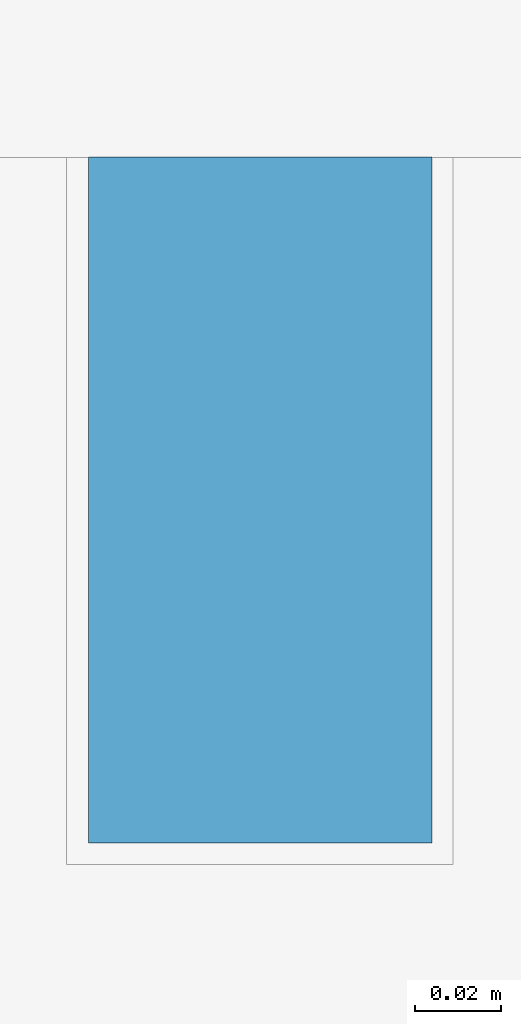
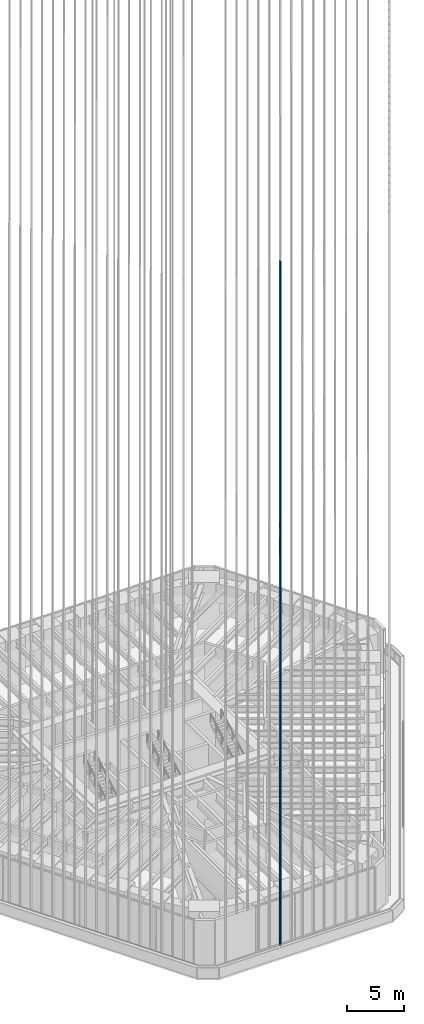
# One storey, part 33 of 228: 1 member, 1 element without a shape of its own.
"""IFC4 building model written with IfcOpenShell, lengths in metres."""

import ifcopenshell
import ifcopenshell.guid

model = None  # the IFC model being written
_history = None  # IfcOwnerHistory: only IFC2X3 demands one
_inside = {}  # id of a spatial element -> (the spatial element, [elements in it])
_under = {}  # id of a project, library or spatial element -> (it, [spatial elements below it])
_declared = {}  # id of a project -> (the project, [libraries it declares])
_typed = {}  # id of a type object -> (the type object, [elements of that type])
_made_of = {}  # id of a material, layer set ... -> (it, [elements and type objects made of it])


def new_model(schema):
    """Start an empty IFC model of exactly this schema.

    Asked for "IFC4X3", IfcOpenShell would pick the latest addendum, in which some entities
    have other attributes; the version numbers below select the first issue.
    IFC2X3 requires an IfcOwnerHistory on every rooted entity: one is made here for all.
    """
    global model, _history
    if schema == "IFC4X3":
        model = ifcopenshell.file(schema_version=(4, 3, 0, 0))
    else:
        model = ifcopenshell.file(schema=schema)
    _inside.clear()
    _under.clear()
    _declared.clear()
    _typed.clear()
    _made_of.clear()
    _history = None
    if model.schema == "IFC2X3":
        org = make("IfcOrganization", Name="unknown")
        user = make(
            "IfcPersonAndOrganization",
            ThePerson=make("IfcPerson", FamilyName="unknown"),
            TheOrganization=org,
        )
        app = make(
            "IfcApplication",
            ApplicationDeveloper=org,
            Version="unknown",
            ApplicationFullName="unknown",
            ApplicationIdentifier="unknown",
        )
        _history = make(
            "IfcOwnerHistory",
            OwningUser=user,
            OwningApplication=app,
            ChangeAction="ADDED",
            CreationDate=0,
        )
    return model


def make(cls, **values):
    """One entity of the class cls with the attributes given. An attribute that is None is left unset."""
    return model.create_entity(
        cls, **{name: value for name, value in values.items() if value is not None}
    )


def rooted(cls, **values):
    """An entity with a GlobalId (a new one), such as an element, a storey or a relation."""
    return make(cls, GlobalId=ifcopenshell.guid.new(), OwnerHistory=_history, **values)


def si_unit(unit_type, name, prefix=None):
    """IfcSIUnit, for example si_unit("LENGTHUNIT", "METRE", prefix="MILLI")."""
    return make("IfcSIUnit", UnitType=unit_type, Prefix=prefix, Name=name)


def assignment(units):
    """IfcUnitAssignment: the units of a project."""
    return None if units is None else make("IfcUnitAssignment", Units=units)


def point(xyz):
    """IfcCartesianPoint."""
    return None if xyz is None else make("IfcCartesianPoint", Coordinates=xyz)


def direction(xyz):
    """IfcDirection."""
    return None if xyz is None else make("IfcDirection", DirectionRatios=xyz)


def frame(location, z_axis=None, x_axis=None):
    """IfcAxis2Placement3D, a coordinate frame: its origin and axes. An axis left out is left unset."""
    return make(
        "IfcAxis2Placement3D",
        Location=point(location),
        Axis=direction(z_axis),
        RefDirection=direction(x_axis),
    )


def frame_2d(location, x_axis=None):
    """IfcAxis2Placement2D, a coordinate frame in the plane: its origin and x axis."""
    return make(
        "IfcAxis2Placement2D", Location=point(location), RefDirection=direction(x_axis)
    )


def origin():
    """The frame at (0, 0, 0) with its axes left unset."""
    return frame((0.0, 0.0, 0.0))


def origin_2d():
    """The frame at (0, 0) in the plane with its x axis left unset."""
    return frame_2d((0.0, 0.0))


def place(relative_to, where):
    """IfcLocalPlacement: puts the frame where relative to a parent placement (None: the world)."""
    return make(
        "IfcLocalPlacement", PlacementRelTo=relative_to, RelativePlacement=where
    )


def context(
    kind, dimensions, precision=None, world=None, true_north=None, identifier=None
):
    """IfcGeometricRepresentationContext, for example the 3D "Model" context."""
    return make(
        "IfcGeometricRepresentationContext",
        ContextIdentifier=identifier,
        ContextType=kind,
        CoordinateSpaceDimension=dimensions,
        Precision=precision,
        WorldCoordinateSystem=world,
        TrueNorth=true_north,
    )


def subcontext(parent, identifier, kind, view, scale=None):
    """IfcGeometricRepresentationSubContext, for example "Body" below "Model"."""
    return make(
        "IfcGeometricRepresentationSubContext",
        ContextIdentifier=identifier,
        ContextType=kind,
        ParentContext=parent,
        TargetScale=scale,
        TargetView=view,
    )


def project(units=None, contexts=None):
    """IfcProject with its units and contexts."""
    return rooted(
        "IfcProject",
        Name="project",
        RepresentationContexts=contexts,
        UnitsInContext=assignment(units),
    )


def spatial(cls, under=None, at=None, **own):
    """A site, building, storey or space (cls), placed at a placement, below another one or the project."""
    s = rooted(cls, ObjectPlacement=at, **own)
    if under is not None:
        _under.setdefault(under.id(), (under, []))[1].append(s)
    return s


def profile(cls, at=None, kind="AREA", **sizes):
    """A parametric profile (cls). Its sizes go by their IFC names, for example OverallWidth=200.0."""
    return make(cls, ProfileType=kind, Position=at, **sizes)


def rectangle(**sizes):
    """IfcRectangleProfileDef."""
    return profile("IfcRectangleProfileDef", **sizes)


def extrude(swept, where, along, depth):
    """IfcExtrudedAreaSolid: the profile swept, set in the frame where, extruded along a direction by depth."""
    return make(
        "IfcExtrudedAreaSolid",
        SweptArea=swept,
        Position=where,
        ExtrudedDirection=direction(along),
        Depth=depth,
    )


def shape(context_of_items, identifier, shape_type, items):
    """IfcShapeRepresentation: the items that make up one representation, for example the "Body"."""
    return make(
        "IfcShapeRepresentation",
        ContextOfItems=context_of_items,
        RepresentationIdentifier=identifier,
        RepresentationType=shape_type,
        Items=items,
    )


def material(Name=None, Category=None):
    """IfcMaterial."""
    return make("IfcMaterial", Name=Name, Category=Category)


def material_profile(
    of_material, cross_section, Name=None, Category=None, Priority=None
):
    """IfcMaterialProfile: a cross section and its material."""
    return make(
        "IfcMaterialProfile",
        Name=Name,
        Material=of_material,
        Profile=cross_section,
        Priority=Priority,
        Category=Category,
    )


def profile_set(profiles, Name=None, composite=None):
    """IfcMaterialProfileSet."""
    return make(
        "IfcMaterialProfileSet",
        Name=Name,
        MaterialProfiles=profiles,
        CompositeProfile=composite,
    )


def made_of(thing, what):
    """Note that an element or type object is made of a material, layer set ...; save() writes the relation."""
    if what is not None:
        _made_of.setdefault(what.id(), (what, []))[1].append(thing)
    return thing


def type_object(cls, material=None, **own):
    """A type object (cls), such as IfcWallType, which elements share."""
    return made_of(rooted(cls, **own), material)


def element(
    cls,
    number,
    at=None,
    inside=None,
    cuts=None,
    type_object=None,
    material=None,
    context=None,
    identifier="Body",
    shape_type=None,
    held_by="IfcProductDefinitionShape",
    body=None,
    shapes=None,
    **own,
):
    """One element of the class cls, such as IfcWall. Its Tag is "e" and its number.

    at: its placement. inside: the storey or other place that contains it. cuts: it is an
    opening in that element (IfcRelVoidsElement). A single representation is given by context,
    identifier, shape_type and body (its items); several are given by shapes. held_by: the class
    of the entity that holds the representations. save() writes the other relations.
    """
    e = rooted(cls, Tag="e%d" % number, ObjectPlacement=at, **own)
    if body is not None:
        shapes = [shape(context, identifier, shape_type, body)]
    if shapes is not None:
        e.Representation = make(held_by, Representations=shapes)
    if inside is not None:
        _inside.setdefault(inside.id(), (inside, []))[1].append(e)
    if cuts is not None:
        rooted(
            "IfcRelVoidsElement", RelatingBuildingElement=cuts, RelatedOpeningElement=e
        )
    if type_object is not None:
        _typed.setdefault(type_object.id(), (type_object, []))[1].append(e)
    return made_of(e, material)


def aggregate(whole, parts):
    """IfcRelAggregates: a whole, such as a stair, and the parts it consists of."""
    return rooted("IfcRelAggregates", RelatingObject=whole, RelatedObjects=parts)


def save(model, path):
    """Write the relations noted so far, then the file.

    IfcRelAggregates (storeys below a building ...), IfcRelContainedInSpatialStructure (elements
    in a storey), IfcRelDefinesByType, IfcRelAssociatesMaterial and IfcRelDeclares: one each for
    every whole, place, type object, material and project.
    """
    for whole, parts in _under.values():
        aggregate(whole, parts)
    for where, things in _inside.values():
        rooted(
            "IfcRelContainedInSpatialStructure",
            RelatedElements=things,
            RelatingStructure=where,
        )
    for kind, things in _typed.values():
        rooted("IfcRelDefinesByType", RelatedObjects=things, RelatingType=kind)
    for what, things in _made_of.values():
        rooted("IfcRelAssociatesMaterial", RelatedObjects=things, RelatingMaterial=what)
    for by, libraries in _declared.values():
        rooted("IfcRelDeclares", RelatingContext=by, RelatedDefinitions=libraries)
    model.write(path)


model = new_model("IFC4")

# Units and contexts
model_context = context("Model", 3, precision=1e-05, world=origin(), true_north=direction((0.0, 1.0)))
body_context = subcontext(model_context, "Body", "Model", "MODEL_VIEW")
ifc_project = project(units=[si_unit("LENGTHUNIT", "METRE"), si_unit("AREAUNIT", "SQUARE_METRE"), si_unit("VOLUMEUNIT", "CUBIC_METRE"), si_unit("PLANEANGLEUNIT", "RADIAN"), si_unit("MASSUNIT", "GRAM", prefix="KILO")], contexts=[model_context])

# Site, building, storey
site_placement = place(None, origin())
site = spatial("IfcSite", under=ifc_project, at=site_placement, CompositionType="ELEMENT")
building_placement = place(site_placement, origin())
building = spatial("IfcBuilding", under=site, at=building_placement, Name="Sandreach Pilgrim Tower", CompositionType="ELEMENT")
storey_placement = place(building_placement, frame((0.0, 0.0, 178.199951171875)))
storey = spatial("IfcBuildingStorey", under=building, at=storey_placement, Name="L44", CompositionType="ELEMENT", Elevation=178.199951171875)

# Curtain wall, member
ifc_material_1 = material(Name="Aluminium framed curtain wall", Category="aluminium")
curtain_wall_type = type_object("IfcCurtainWallType", Name="Upper hotel tower curtain wall", PredefinedType="NOTDEFINED", material=ifc_material_1)
curtain_wall_placement = place(storey_placement, origin())
curtain_wall = element("IfcCurtainWall", 1, at=curtain_wall_placement, inside=storey, type_object=curtain_wall_type, Name="CW-3 L44 SA", PredefinedType="NOTDEFINED")
ifc_material_2 = material(Name="Extruded terracotta on aluminium core", Category="masonry")
ifc_material_profile = material_profile(ifc_material_2, rectangle(XDim=0.080078125, YDim=0.159912109375, at=origin_2d()), Name="TBS 80X160")
ifc_profile_set = profile_set([ifc_material_profile], Name="Extruded terracotta on aluminium core")
member_type = type_object("IfcMemberType", Name="Terracotta baguette south", PredefinedType="USERDEFINED", material=ifc_profile_set)
member_placement = place(storey_placement, frame((-1.663330078125, -26.905029296875, 0.0), z_axis=(0.0, 0.0, 1.0), x_axis=(-1.0, 0.0, 0.0)))
member = element("IfcMember", 2, at=member_placement, type_object=member_type, Name="Baguette Z3 S09", ObjectType="BAGUETTE", PredefinedType="USERDEFINED", context=body_context, shape_type="SweptSolid", body=[
    extrude(rectangle(XDim=0.080078125, YDim=0.159912109375, at=origin_2d()), origin(), (0.0, 0.0, 1.0), 73.239990234375),
])
aggregate(curtain_wall, [member])

save(model, "model.ifc")
